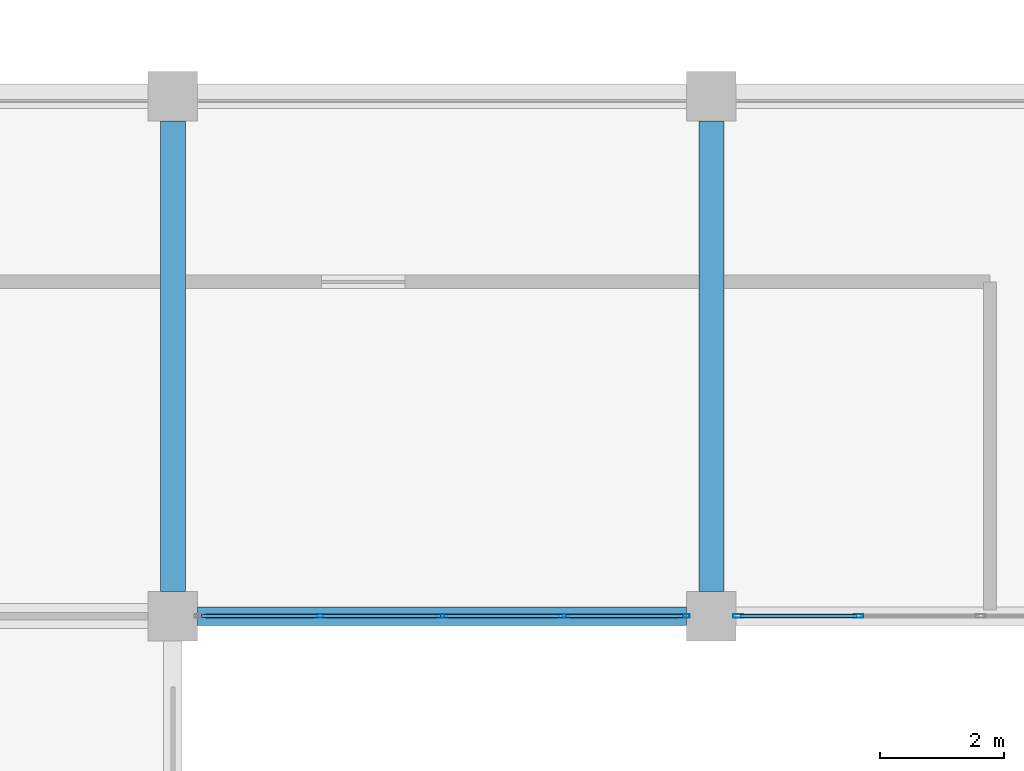
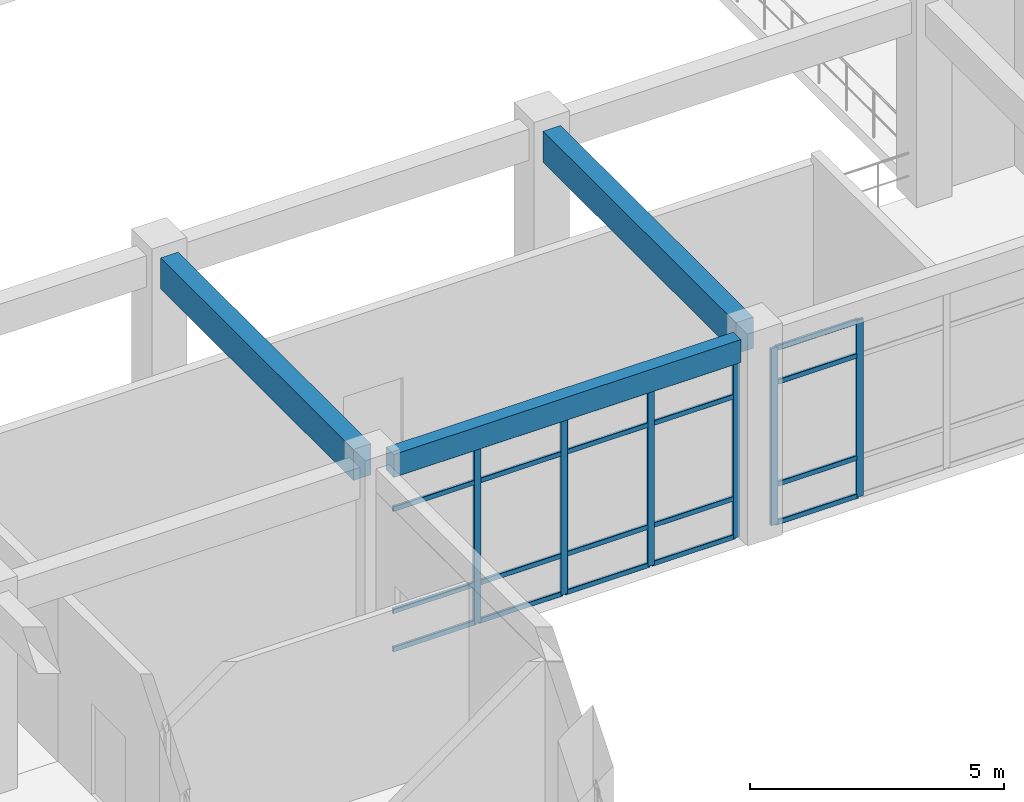
# One storey, part 35 of 124: 26 members, 3 beams, 2 elements without a shape of their own.
"""IFC4 building model written with IfcOpenShell, lengths in metres."""

import ifcopenshell
import ifcopenshell.guid

model = None  # the IFC model being written
_history = None  # IfcOwnerHistory: only IFC2X3 demands one
_inside = {}  # id of a spatial element -> (the spatial element, [elements in it])
_under = {}  # id of a project, library or spatial element -> (it, [spatial elements below it])
_declared = {}  # id of a project -> (the project, [libraries it declares])
_typed = {}  # id of a type object -> (the type object, [elements of that type])
_made_of = {}  # id of a material, layer set ... -> (it, [elements and type objects made of it])


def new_model(schema):
    """Start an empty IFC model of exactly this schema.

    Asked for "IFC4X3", IfcOpenShell would pick the latest addendum, in which some entities
    have other attributes; the version numbers below select the first issue.
    IFC2X3 requires an IfcOwnerHistory on every rooted entity: one is made here for all.
    """
    global model, _history
    if schema == "IFC4X3":
        model = ifcopenshell.file(schema_version=(4, 3, 0, 0))
    else:
        model = ifcopenshell.file(schema=schema)
    _inside.clear()
    _under.clear()
    _declared.clear()
    _typed.clear()
    _made_of.clear()
    _history = None
    if model.schema == "IFC2X3":
        org = make("IfcOrganization", Name="unknown")
        user = make(
            "IfcPersonAndOrganization",
            ThePerson=make("IfcPerson", FamilyName="unknown"),
            TheOrganization=org,
        )
        app = make(
            "IfcApplication",
            ApplicationDeveloper=org,
            Version="unknown",
            ApplicationFullName="unknown",
            ApplicationIdentifier="unknown",
        )
        _history = make(
            "IfcOwnerHistory",
            OwningUser=user,
            OwningApplication=app,
            ChangeAction="ADDED",
            CreationDate=0,
        )
    return model


def make(cls, **values):
    """One entity of the class cls with the attributes given. An attribute that is None is left unset."""
    return model.create_entity(
        cls, **{name: value for name, value in values.items() if value is not None}
    )


def rooted(cls, **values):
    """An entity with a GlobalId (a new one), such as an element, a storey or a relation."""
    return make(cls, GlobalId=ifcopenshell.guid.new(), OwnerHistory=_history, **values)


def si_unit(unit_type, name, prefix=None):
    """IfcSIUnit, for example si_unit("LENGTHUNIT", "METRE", prefix="MILLI")."""
    return make("IfcSIUnit", UnitType=unit_type, Prefix=prefix, Name=name)


def derived_unit(unit_type, elements):
    """IfcDerivedUnit: a product of units, each with its exponent."""
    return make(
        "IfcDerivedUnit",
        Elements=[
            make("IfcDerivedUnitElement", Unit=unit, Exponent=power)
            for unit, power in elements
        ],
        UnitType=unit_type,
    )


def assignment(units):
    """IfcUnitAssignment: the units of a project."""
    return None if units is None else make("IfcUnitAssignment", Units=units)


def point(xyz):
    """IfcCartesianPoint."""
    return None if xyz is None else make("IfcCartesianPoint", Coordinates=xyz)


def direction(xyz):
    """IfcDirection."""
    return None if xyz is None else make("IfcDirection", DirectionRatios=xyz)


def frame(location, z_axis=None, x_axis=None):
    """IfcAxis2Placement3D, a coordinate frame: its origin and axes. An axis left out is left unset."""
    return make(
        "IfcAxis2Placement3D",
        Location=point(location),
        Axis=direction(z_axis),
        RefDirection=direction(x_axis),
    )


def frame_2d(location, x_axis=None):
    """IfcAxis2Placement2D, a coordinate frame in the plane: its origin and x axis."""
    return make(
        "IfcAxis2Placement2D", Location=point(location), RefDirection=direction(x_axis)
    )


def origin():
    """The frame at (0, 0, 0) with its axes left unset."""
    return frame((0.0, 0.0, 0.0))


def origin_2d():
    """The frame at (0, 0) in the plane with its x axis left unset."""
    return frame_2d((0.0, 0.0))


def place(relative_to, where):
    """IfcLocalPlacement: puts the frame where relative to a parent placement (None: the world)."""
    return make(
        "IfcLocalPlacement", PlacementRelTo=relative_to, RelativePlacement=where
    )


def context(
    kind, dimensions, precision=None, world=None, true_north=None, identifier=None
):
    """IfcGeometricRepresentationContext, for example the 3D "Model" context."""
    return make(
        "IfcGeometricRepresentationContext",
        ContextIdentifier=identifier,
        ContextType=kind,
        CoordinateSpaceDimension=dimensions,
        Precision=precision,
        WorldCoordinateSystem=world,
        TrueNorth=true_north,
    )


def subcontext(parent, identifier, kind, view, scale=None):
    """IfcGeometricRepresentationSubContext, for example "Body" below "Model"."""
    return make(
        "IfcGeometricRepresentationSubContext",
        ContextIdentifier=identifier,
        ContextType=kind,
        ParentContext=parent,
        TargetScale=scale,
        TargetView=view,
    )


def project(units=None, contexts=None):
    """IfcProject with its units and contexts."""
    return rooted(
        "IfcProject",
        Name="project",
        RepresentationContexts=contexts,
        UnitsInContext=assignment(units),
    )


def spatial(cls, under=None, at=None, **own):
    """A site, building, storey or space (cls), placed at a placement, below another one or the project."""
    s = rooted(cls, ObjectPlacement=at, **own)
    if under is not None:
        _under.setdefault(under.id(), (under, []))[1].append(s)
    return s


def profile(cls, at=None, kind="AREA", **sizes):
    """A parametric profile (cls). Its sizes go by their IFC names, for example OverallWidth=200.0."""
    return make(cls, ProfileType=kind, Position=at, **sizes)


def rectangle(**sizes):
    """IfcRectangleProfileDef."""
    return profile("IfcRectangleProfileDef", **sizes)


def hollow_rectangle(**sizes):
    """IfcRectangleHollowProfileDef."""
    return profile("IfcRectangleHollowProfileDef", **sizes)


def extrude(swept, where, along, depth):
    """IfcExtrudedAreaSolid: the profile swept, set in the frame where, extruded along a direction by depth."""
    return make(
        "IfcExtrudedAreaSolid",
        SweptArea=swept,
        Position=where,
        ExtrudedDirection=direction(along),
        Depth=depth,
    )


def shape(context_of_items, identifier, shape_type, items):
    """IfcShapeRepresentation: the items that make up one representation, for example the "Body"."""
    return make(
        "IfcShapeRepresentation",
        ContextOfItems=context_of_items,
        RepresentationIdentifier=identifier,
        RepresentationType=shape_type,
        Items=items,
    )


def material(Name=None, Category=None):
    """IfcMaterial."""
    return make("IfcMaterial", Name=Name, Category=Category)


def layer(
    of_material, thickness, ventilated=None, Name=None, Category=None, Priority=None
):
    """IfcMaterialLayer: one layer of a wall or slab, of a material (None: an air gap)."""
    return make(
        "IfcMaterialLayer",
        Material=of_material,
        LayerThickness=thickness,
        IsVentilated=ventilated,
        Name=Name,
        Category=Category,
        Priority=Priority,
    )


def layer_set(layers, Name=None):
    """IfcMaterialLayerSet."""
    return make("IfcMaterialLayerSet", MaterialLayers=layers, LayerSetName=Name)


def material_profile(
    of_material, cross_section, Name=None, Category=None, Priority=None
):
    """IfcMaterialProfile: a cross section and its material."""
    return make(
        "IfcMaterialProfile",
        Name=Name,
        Material=of_material,
        Profile=cross_section,
        Priority=Priority,
        Category=Category,
    )


def profile_set(profiles, Name=None, composite=None):
    """IfcMaterialProfileSet."""
    return make(
        "IfcMaterialProfileSet",
        Name=Name,
        MaterialProfiles=profiles,
        CompositeProfile=composite,
    )


def made_of(thing, what):
    """Note that an element or type object is made of a material, layer set ...; save() writes the relation."""
    if what is not None:
        _made_of.setdefault(what.id(), (what, []))[1].append(thing)
    return thing


def type_object(cls, material=None, **own):
    """A type object (cls), such as IfcWallType, which elements share."""
    return made_of(rooted(cls, **own), material)


def element(
    cls,
    number,
    at=None,
    inside=None,
    cuts=None,
    type_object=None,
    material=None,
    context=None,
    identifier="Body",
    shape_type=None,
    held_by="IfcProductDefinitionShape",
    body=None,
    shapes=None,
    **own,
):
    """One element of the class cls, such as IfcWall. Its Tag is "e" and its number.

    at: its placement. inside: the storey or other place that contains it. cuts: it is an
    opening in that element (IfcRelVoidsElement). A single representation is given by context,
    identifier, shape_type and body (its items); several are given by shapes. held_by: the class
    of the entity that holds the representations. save() writes the other relations.
    """
    e = rooted(cls, Tag="e%d" % number, ObjectPlacement=at, **own)
    if body is not None:
        shapes = [shape(context, identifier, shape_type, body)]
    if shapes is not None:
        e.Representation = make(held_by, Representations=shapes)
    if inside is not None:
        _inside.setdefault(inside.id(), (inside, []))[1].append(e)
    if cuts is not None:
        rooted(
            "IfcRelVoidsElement", RelatingBuildingElement=cuts, RelatedOpeningElement=e
        )
    if type_object is not None:
        _typed.setdefault(type_object.id(), (type_object, []))[1].append(e)
    return made_of(e, material)


def aggregate(whole, parts):
    """IfcRelAggregates: a whole, such as a stair, and the parts it consists of."""
    return rooted("IfcRelAggregates", RelatingObject=whole, RelatedObjects=parts)


def save(model, path):
    """Write the relations noted so far, then the file.

    IfcRelAggregates (storeys below a building ...), IfcRelContainedInSpatialStructure (elements
    in a storey), IfcRelDefinesByType, IfcRelAssociatesMaterial and IfcRelDeclares: one each for
    every whole, place, type object, material and project.
    """
    for whole, parts in _under.values():
        aggregate(whole, parts)
    for where, things in _inside.values():
        rooted(
            "IfcRelContainedInSpatialStructure",
            RelatedElements=things,
            RelatingStructure=where,
        )
    for kind, things in _typed.values():
        rooted("IfcRelDefinesByType", RelatedObjects=things, RelatingType=kind)
    for what, things in _made_of.values():
        rooted("IfcRelAssociatesMaterial", RelatedObjects=things, RelatingMaterial=what)
    for by, libraries in _declared.values():
        rooted("IfcRelDeclares", RelatingContext=by, RelatedDefinitions=libraries)
    model.write(path)


model = new_model("IFC4")

# Units and contexts
model_context = context("Model", 3, precision=1e-05, world=origin(), true_north=direction((0.0, 1.0)))
body_context = subcontext(model_context, "Body", "Model", "MODEL_VIEW")
ifc_project = project(units=[si_unit("LENGTHUNIT", "METRE"), si_unit("AREAUNIT", "SQUARE_METRE"), si_unit("VOLUMEUNIT", "CUBIC_METRE"), si_unit("PLANEANGLEUNIT", "RADIAN"), si_unit("MASSUNIT", "GRAM", prefix="KILO"), derived_unit("THERMALTRANSMITTANCEUNIT", [(si_unit("MASSUNIT", "GRAM", prefix="KILO"), 1), (si_unit("TIMEUNIT", "SECOND"), -3), (si_unit("THERMODYNAMICTEMPERATUREUNIT", "KELVIN"), -1)])], contexts=[model_context])

# Site, building, storey
site_placement = place(None, origin())
site = spatial("IfcSite", under=ifc_project, at=site_placement, CompositionType="ELEMENT")
building_placement = place(site_placement, origin())
building = spatial("IfcBuilding", under=site, at=building_placement, Name="Qinzheling Arcade Emporium", CompositionType="ELEMENT")
storey_placement = place(building_placement, frame((0.0, 0.0, 16.5)))
storey = spatial("IfcBuildingStorey", under=building, at=storey_placement, Name="L04", CompositionType="ELEMENT", Elevation=16.5)

# Curtain wall, members
ifc_material_1 = material(Name="Anodised aluminium and solar-control double glazing", Category="aluminium")
ifc_layer = layer(ifc_material_1, 0.159912109375, Name="Anodised aluminium and solar-control double glazing", Category="aluminium")
ifc_layer_set = layer_set([ifc_layer], Name="Anodised aluminium and solar-control double glazing")
curtain_wall_type = type_object("IfcCurtainWallType", Name="Atrium Clerestory Curtain Wall", PredefinedType="NOTDEFINED", material=ifc_layer_set)
curtain_wall_1_placement = place(storey_placement, origin())
curtain_wall_1 = element("IfcCurtainWall", 1, at=curtain_wall_1_placement, inside=storey, type_object=curtain_wall_type, Name="Curtain Wall CW-L04-255", PredefinedType="NOTDEFINED")
ifc_material_2 = material(Name="Anodised aluminium 6063-T6", Category="aluminium")
ifc_material_profile_1 = material_profile(ifc_material_2, hollow_rectangle(XDim=0.06005859375, YDim=0.159912109375, WallThickness=0.00390625, InnerFilletRadius=0.00390625, OuterFilletRadius=0.008056640625, at=origin_2d()), Name="RHS 160x60x4", Category="aluminium")
ifc_profile_set_1 = profile_set([ifc_material_profile_1], Name="Anodised aluminium 6063-T6")
member_type_1 = type_object("IfcMemberType", Name="Curtain Wall Mullion RHS160x60", PredefinedType="MULLION", material=ifc_profile_set_1)
member_1_placement = place(storey_placement, frame((80.676025390625, 42.0, 0.0), z_axis=(0.0, 0.0, 1.0), x_axis=(0.0, -1.0, 0.0)))
member_1 = element("IfcMember", 2, at=member_1_placement, type_object=member_type_1, Name="CW03 mullion 4", PredefinedType="MULLION", context=body_context, shape_type="SweptSolid", body=[
    extrude(hollow_rectangle(XDim=0.06005859375, YDim=0.159912109375, WallThickness=0.00390625, InnerFilletRadius=0.00390625, OuterFilletRadius=0.008056640625, at=origin_2d()), origin(), (0.0, 0.0, 1.0), 4.2548828125),
])
member_2_placement = place(storey_placement, frame((78.73193359375, 42.0, 0.0), z_axis=(0.0, 0.0, 1.0), x_axis=(0.0, -1.0, 0.0)))
member_2 = element("IfcMember", 3, at=member_2_placement, type_object=member_type_1, Name="CW03 mullion 5", PredefinedType="MULLION", context=body_context, shape_type="SweptSolid", body=[
    extrude(hollow_rectangle(XDim=0.06005859375, YDim=0.159912109375, WallThickness=0.00390625, InnerFilletRadius=0.00390625, OuterFilletRadius=0.008056640625, at=origin_2d()), origin(), (0.0, 0.0, 1.0), 4.2548828125),
])

curtain_wall_2_placement = place(storey_placement, origin())
curtain_wall_2 = element("IfcCurtainWall", 4, at=curtain_wall_2_placement, inside=storey, type_object=curtain_wall_type, Name="Curtain Wall CW-L04-256", PredefinedType="NOTDEFINED")
member_3_placement = place(storey_placement, frame((77.867919921875, 42.0, 0.0), z_axis=(0.0, 0.0, 1.0), x_axis=(0.0, -1.0, 0.0)))
member_3 = element("IfcMember", 5, at=member_3_placement, type_object=member_type_1, Name="CW03 mullion 1", PredefinedType="MULLION", context=body_context, shape_type="SweptSolid", body=[
    extrude(hollow_rectangle(XDim=0.06005859375, YDim=0.159912109375, WallThickness=0.00390625, InnerFilletRadius=0.00390625, OuterFilletRadius=0.008056640625, at=origin_2d()), origin(), (0.0, 0.0, 1.0), 4.2548828125),
])
member_4_placement = place(storey_placement, frame((75.924072265625, 42.0, 0.0), z_axis=(0.0, 0.0, 1.0), x_axis=(0.0, -1.0, 0.0)))
member_4 = element("IfcMember", 6, at=member_4_placement, type_object=member_type_1, Name="CW03 mullion 2", PredefinedType="MULLION", context=body_context, shape_type="SweptSolid", body=[
    extrude(hollow_rectangle(XDim=0.06005859375, YDim=0.159912109375, WallThickness=0.00390625, InnerFilletRadius=0.00390625, OuterFilletRadius=0.008056640625, at=origin_2d()), origin(), (0.0, 0.0, 1.0), 4.2548828125),
])
member_5_placement = place(storey_placement, frame((73.949951171875, 42.0, 0.0), z_axis=(0.0, 0.0, 1.0), x_axis=(0.0, -1.0, 0.0)))
member_5 = element("IfcMember", 7, at=member_5_placement, type_object=member_type_1, Name="CW03 mullion 3", PredefinedType="MULLION", context=body_context, shape_type="SweptSolid", body=[
    extrude(hollow_rectangle(XDim=0.06005859375, YDim=0.159912109375, WallThickness=0.00390625, InnerFilletRadius=0.00390625, OuterFilletRadius=0.008056640625, at=origin_2d()), origin(), (0.0, 0.0, 1.0), 4.2548828125),
])
member_6_placement = place(storey_placement, frame((71.97607421875, 42.0, 0.0), z_axis=(0.0, 0.0, 1.0), x_axis=(0.0, -1.0, 0.0)))
member_6 = element("IfcMember", 8, at=member_6_placement, type_object=member_type_1, Name="CW03 mullion 4", PredefinedType="MULLION", context=body_context, shape_type="SweptSolid", body=[
    extrude(hollow_rectangle(XDim=0.06005859375, YDim=0.159912109375, WallThickness=0.00390625, InnerFilletRadius=0.00390625, OuterFilletRadius=0.008056640625, at=origin_2d()), origin(), (0.0, 0.0, 1.0), 4.2548828125),
])

# Member
ifc_material_profile_2 = material_profile(ifc_material_2, hollow_rectangle(XDim=0.06005859375, YDim=0.1201171875, WallThickness=0.00390625, InnerFilletRadius=0.00390625, OuterFilletRadius=0.008056640625, at=origin_2d()), Name="RHS 120x60x4", Category="aluminium")
ifc_profile_set_2 = profile_set([ifc_material_profile_2], Name="Anodised aluminium 6063-T6")
member_type_2 = type_object("IfcMemberType", Name="Curtain Wall Transom RHS120x60", PredefinedType="USERDEFINED", material=ifc_profile_set_2)
member_7_placement = place(storey_placement, frame((80.64599609375, 42.0, 0.030029296875), z_axis=(-1.0, 0.0, 0.0), x_axis=(0.0, -1.0, 0.0)))
member_7 = element("IfcMember", 9, at=member_7_placement, type_object=member_type_2, Name="CW03 transom 4.1", ObjectType="TRANSOM", PredefinedType="USERDEFINED", context=body_context, shape_type="SweptSolid", body=[
    extrude(hollow_rectangle(XDim=0.06005859375, YDim=0.1201171875, WallThickness=0.00390625, InnerFilletRadius=0.00390625, OuterFilletRadius=0.008056640625, at=origin_2d()), origin(), (0.0, 0.0, 1.0), 1.884033203125),
])

member_8_placement = place(storey_placement, frame((80.64599609375, 42.0, 0.949951171875), z_axis=(-1.0, 0.0, 0.0), x_axis=(0.0, -1.0, 0.0)))
member_8 = element("IfcMember", 10, at=member_8_placement, type_object=member_type_2, Name="CW03 transom 4.2", ObjectType="TRANSOM", PredefinedType="USERDEFINED", context=body_context, shape_type="SweptSolid", body=[
    extrude(hollow_rectangle(XDim=0.06005859375, YDim=0.1201171875, WallThickness=0.00390625, InnerFilletRadius=0.00390625, OuterFilletRadius=0.008056640625, at=origin_2d()), origin(), (0.0, 0.0, 1.0), 1.884033203125),
])

member_9_placement = place(storey_placement, frame((80.64599609375, 42.0, 3.405029296875), z_axis=(-1.0, 0.0, 0.0), x_axis=(0.0, -1.0, 0.0)))
member_9 = element("IfcMember", 11, at=member_9_placement, type_object=member_type_2, Name="CW03 transom 4.3", ObjectType="TRANSOM", PredefinedType="USERDEFINED", context=body_context, shape_type="SweptSolid", body=[
    extrude(hollow_rectangle(XDim=0.06005859375, YDim=0.1201171875, WallThickness=0.00390625, InnerFilletRadius=0.00390625, OuterFilletRadius=0.008056640625, at=origin_2d()), origin(), (0.0, 0.0, 1.0), 1.884033203125),
])

member_10_placement = place(storey_placement, frame((80.64599609375, 42.0, 4.22509765625), z_axis=(-1.0, 0.0, 0.0), x_axis=(0.0, -1.0, 0.0)))
member_10 = element("IfcMember", 12, at=member_10_placement, type_object=member_type_2, Name="CW03 transom 4.4", ObjectType="TRANSOM", PredefinedType="USERDEFINED", context=body_context, shape_type="SweptSolid", body=[
    extrude(hollow_rectangle(XDim=0.06005859375, YDim=0.1201171875, WallThickness=0.00390625, InnerFilletRadius=0.00390625, OuterFilletRadius=0.008056640625, at=origin_2d()), origin(), (0.0, 0.0, 1.0), 1.884033203125),
])

aggregate(curtain_wall_1, [member_1, member_2, member_7, member_8, member_9, member_10])

member_11_placement = place(storey_placement, frame((77.837890625, 42.0, 0.030029296875), z_axis=(-1.0, 0.0, 0.0), x_axis=(0.0, -1.0, 0.0)))
member_11 = element("IfcMember", 13, at=member_11_placement, type_object=member_type_2, Name="CW03 transom 1.1", ObjectType="TRANSOM", PredefinedType="USERDEFINED", context=body_context, shape_type="SweptSolid", body=[
    extrude(hollow_rectangle(XDim=0.06005859375, YDim=0.1201171875, WallThickness=0.00390625, InnerFilletRadius=0.00390625, OuterFilletRadius=0.008056640625, at=origin_2d()), origin(), (0.0, 0.0, 1.0), 1.8837890625),
])

member_12_placement = place(storey_placement, frame((77.837890625, 42.0, 0.949951171875), z_axis=(-1.0, 0.0, 0.0), x_axis=(0.0, -1.0, 0.0)))
member_12 = element("IfcMember", 14, at=member_12_placement, type_object=member_type_2, Name="CW03 transom 1.2", ObjectType="TRANSOM", PredefinedType="USERDEFINED", context=body_context, shape_type="SweptSolid", body=[
    extrude(hollow_rectangle(XDim=0.06005859375, YDim=0.1201171875, WallThickness=0.00390625, InnerFilletRadius=0.00390625, OuterFilletRadius=0.008056640625, at=origin_2d()), origin(), (0.0, 0.0, 1.0), 1.8837890625),
])

member_13_placement = place(storey_placement, frame((77.837890625, 42.0, 3.405029296875), z_axis=(-1.0, 0.0, 0.0), x_axis=(0.0, -1.0, 0.0)))
member_13 = element("IfcMember", 15, at=member_13_placement, type_object=member_type_2, Name="CW03 transom 1.3", ObjectType="TRANSOM", PredefinedType="USERDEFINED", context=body_context, shape_type="SweptSolid", body=[
    extrude(hollow_rectangle(XDim=0.06005859375, YDim=0.1201171875, WallThickness=0.00390625, InnerFilletRadius=0.00390625, OuterFilletRadius=0.008056640625, at=origin_2d()), origin(), (0.0, 0.0, 1.0), 1.8837890625),
])

member_14_placement = place(storey_placement, frame((77.837890625, 42.0, 4.22509765625), z_axis=(-1.0, 0.0, 0.0), x_axis=(0.0, -1.0, 0.0)))
member_14 = element("IfcMember", 16, at=member_14_placement, type_object=member_type_2, Name="CW03 transom 1.4", ObjectType="TRANSOM", PredefinedType="USERDEFINED", context=body_context, shape_type="SweptSolid", body=[
    extrude(hollow_rectangle(XDim=0.06005859375, YDim=0.1201171875, WallThickness=0.00390625, InnerFilletRadius=0.00390625, OuterFilletRadius=0.008056640625, at=origin_2d()), origin(), (0.0, 0.0, 1.0), 1.8837890625),
])

member_15_placement = place(storey_placement, frame((75.89404296875, 42.0, 0.030029296875), z_axis=(-1.0, 0.0, 0.0), x_axis=(0.0, -1.0, 0.0)))
member_15 = element("IfcMember", 17, at=member_15_placement, type_object=member_type_2, Name="CW03 transom 2.1", ObjectType="TRANSOM", PredefinedType="USERDEFINED", context=body_context, shape_type="SweptSolid", body=[
    extrude(hollow_rectangle(XDim=0.06005859375, YDim=0.1201171875, WallThickness=0.00390625, InnerFilletRadius=0.00390625, OuterFilletRadius=0.008056640625, at=origin_2d()), origin(), (0.0, 0.0, 1.0), 1.9140625),
])

member_16_placement = place(storey_placement, frame((75.89404296875, 42.0, 0.949951171875), z_axis=(-1.0, 0.0, 0.0), x_axis=(0.0, -1.0, 0.0)))
member_16 = element("IfcMember", 18, at=member_16_placement, type_object=member_type_2, Name="CW03 transom 2.2", ObjectType="TRANSOM", PredefinedType="USERDEFINED", context=body_context, shape_type="SweptSolid", body=[
    extrude(hollow_rectangle(XDim=0.06005859375, YDim=0.1201171875, WallThickness=0.00390625, InnerFilletRadius=0.00390625, OuterFilletRadius=0.008056640625, at=origin_2d()), origin(), (0.0, 0.0, 1.0), 1.9140625),
])

member_17_placement = place(storey_placement, frame((75.89404296875, 42.0, 3.405029296875), z_axis=(-1.0, 0.0, 0.0), x_axis=(0.0, -1.0, 0.0)))
member_17 = element("IfcMember", 19, at=member_17_placement, type_object=member_type_2, Name="CW03 transom 2.3", ObjectType="TRANSOM", PredefinedType="USERDEFINED", context=body_context, shape_type="SweptSolid", body=[
    extrude(hollow_rectangle(XDim=0.06005859375, YDim=0.1201171875, WallThickness=0.00390625, InnerFilletRadius=0.00390625, OuterFilletRadius=0.008056640625, at=origin_2d()), origin(), (0.0, 0.0, 1.0), 1.9140625),
])

member_18_placement = place(storey_placement, frame((75.89404296875, 42.0, 4.22509765625), z_axis=(-1.0, 0.0, 0.0), x_axis=(0.0, -1.0, 0.0)))
member_18 = element("IfcMember", 20, at=member_18_placement, type_object=member_type_2, Name="CW03 transom 2.4", ObjectType="TRANSOM", PredefinedType="USERDEFINED", context=body_context, shape_type="SweptSolid", body=[
    extrude(hollow_rectangle(XDim=0.06005859375, YDim=0.1201171875, WallThickness=0.00390625, InnerFilletRadius=0.00390625, OuterFilletRadius=0.008056640625, at=origin_2d()), origin(), (0.0, 0.0, 1.0), 1.9140625),
])

member_19_placement = place(storey_placement, frame((73.919921875, 42.0, 0.030029296875), z_axis=(-1.0, 0.0, 0.0), x_axis=(0.0, -1.0, 0.0)))
member_19 = element("IfcMember", 21, at=member_19_placement, type_object=member_type_2, Name="CW03 transom 3.1", ObjectType="TRANSOM", PredefinedType="USERDEFINED", context=body_context, shape_type="SweptSolid", body=[
    extrude(hollow_rectangle(XDim=0.06005859375, YDim=0.1201171875, WallThickness=0.00390625, InnerFilletRadius=0.00390625, OuterFilletRadius=0.008056640625, at=origin_2d()), origin(), (0.0, 0.0, 1.0), 1.913818359375),
])

member_20_placement = place(storey_placement, frame((73.919921875, 42.0, 0.949951171875), z_axis=(-1.0, 0.0, 0.0), x_axis=(0.0, -1.0, 0.0)))
member_20 = element("IfcMember", 22, at=member_20_placement, type_object=member_type_2, Name="CW03 transom 3.2", ObjectType="TRANSOM", PredefinedType="USERDEFINED", context=body_context, shape_type="SweptSolid", body=[
    extrude(hollow_rectangle(XDim=0.06005859375, YDim=0.1201171875, WallThickness=0.00390625, InnerFilletRadius=0.00390625, OuterFilletRadius=0.008056640625, at=origin_2d()), origin(), (0.0, 0.0, 1.0), 1.913818359375),
])

member_21_placement = place(storey_placement, frame((73.919921875, 42.0, 3.405029296875), z_axis=(-1.0, 0.0, 0.0), x_axis=(0.0, -1.0, 0.0)))
member_21 = element("IfcMember", 23, at=member_21_placement, type_object=member_type_2, Name="CW03 transom 3.3", ObjectType="TRANSOM", PredefinedType="USERDEFINED", context=body_context, shape_type="SweptSolid", body=[
    extrude(hollow_rectangle(XDim=0.06005859375, YDim=0.1201171875, WallThickness=0.00390625, InnerFilletRadius=0.00390625, OuterFilletRadius=0.008056640625, at=origin_2d()), origin(), (0.0, 0.0, 1.0), 1.913818359375),
])

member_22_placement = place(storey_placement, frame((73.919921875, 42.0, 4.22509765625), z_axis=(-1.0, 0.0, 0.0), x_axis=(0.0, -1.0, 0.0)))
member_22 = element("IfcMember", 24, at=member_22_placement, type_object=member_type_2, Name="CW03 transom 3.4", ObjectType="TRANSOM", PredefinedType="USERDEFINED", context=body_context, shape_type="SweptSolid", body=[
    extrude(hollow_rectangle(XDim=0.06005859375, YDim=0.1201171875, WallThickness=0.00390625, InnerFilletRadius=0.00390625, OuterFilletRadius=0.008056640625, at=origin_2d()), origin(), (0.0, 0.0, 1.0), 1.913818359375),
])

member_23_placement = place(storey_placement, frame((71.946044921875, 42.0, 0.030029296875), z_axis=(-1.0, 0.0, 0.0), x_axis=(0.0, -1.0, 0.0)))
member_23 = element("IfcMember", 25, at=member_23_placement, type_object=member_type_2, Name="CW03 transom 4.1", ObjectType="TRANSOM", PredefinedType="USERDEFINED", context=body_context, shape_type="SweptSolid", body=[
    extrude(hollow_rectangle(XDim=0.06005859375, YDim=0.1201171875, WallThickness=0.00390625, InnerFilletRadius=0.00390625, OuterFilletRadius=0.008056640625, at=origin_2d()), origin(), (0.0, 0.0, 1.0), 1.884033203125),
])

member_24_placement = place(storey_placement, frame((71.946044921875, 42.0, 0.949951171875), z_axis=(-1.0, 0.0, 0.0), x_axis=(0.0, -1.0, 0.0)))
member_24 = element("IfcMember", 26, at=member_24_placement, type_object=member_type_2, Name="CW03 transom 4.2", ObjectType="TRANSOM", PredefinedType="USERDEFINED", context=body_context, shape_type="SweptSolid", body=[
    extrude(hollow_rectangle(XDim=0.06005859375, YDim=0.1201171875, WallThickness=0.00390625, InnerFilletRadius=0.00390625, OuterFilletRadius=0.008056640625, at=origin_2d()), origin(), (0.0, 0.0, 1.0), 1.884033203125),
])

member_25_placement = place(storey_placement, frame((71.946044921875, 42.0, 3.405029296875), z_axis=(-1.0, 0.0, 0.0), x_axis=(0.0, -1.0, 0.0)))
member_25 = element("IfcMember", 27, at=member_25_placement, type_object=member_type_2, Name="CW03 transom 4.3", ObjectType="TRANSOM", PredefinedType="USERDEFINED", context=body_context, shape_type="SweptSolid", body=[
    extrude(hollow_rectangle(XDim=0.06005859375, YDim=0.1201171875, WallThickness=0.00390625, InnerFilletRadius=0.00390625, OuterFilletRadius=0.008056640625, at=origin_2d()), origin(), (0.0, 0.0, 1.0), 1.884033203125),
])

member_26_placement = place(storey_placement, frame((71.946044921875, 42.0, 4.22509765625), z_axis=(-1.0, 0.0, 0.0), x_axis=(0.0, -1.0, 0.0)))
member_26 = element("IfcMember", 28, at=member_26_placement, type_object=member_type_2, Name="CW03 transom 4.4", ObjectType="TRANSOM", PredefinedType="USERDEFINED", context=body_context, shape_type="SweptSolid", body=[
    extrude(hollow_rectangle(XDim=0.06005859375, YDim=0.1201171875, WallThickness=0.00390625, InnerFilletRadius=0.00390625, OuterFilletRadius=0.008056640625, at=origin_2d()), origin(), (0.0, 0.0, 1.0), 1.884033203125),
])

aggregate(curtain_wall_2, [member_3, member_4, member_5, member_6, member_11, member_12, member_13, member_14, member_15, member_16, member_17, member_18, member_19, member_20, member_21, member_22, member_23, member_24, member_25, member_26])

# Beams
ifc_material_3 = material(Name="Concrete C40", Category="concrete")
ifc_material_profile_3 = material_profile(ifc_material_3, rectangle(XDim=0.39990234375, YDim=0.75, at=origin_2d()), Name="RC 400x750", Category="concrete")
ifc_profile_set_3 = profile_set([ifc_material_profile_3], Name="Concrete C40")
beam_type_1 = type_object("IfcBeamType", Name="RC Interior Tie Beam 400x750 C40", PredefinedType="BEAM", material=ifc_profile_set_3)
for number, where, z_axis, x_axis, name in (
    (29, (69.60009765625, 42.39990234375, 4.445068359375), (0.0, 1.0, 0.0), (-1.0, 0.0, 0.0), "Beam BM-L04-Y-9-F"),
    (30, (78.300048828125, 42.39990234375, 4.445068359375), (0.0, 1.0, 0.0), (-1.0, 0.0, 0.0), "Beam BM-L04-Y-10-F"),
):
    element("IfcBeam", number, at=place(storey_placement, frame(where, z_axis=z_axis, x_axis=x_axis)), inside=storey, type_object=beam_type_1, Name=name, PredefinedType="BEAM", context=body_context, shape_type="SweptSolid", body=[
        extrude(rectangle(XDim=0.39990234375, YDim=0.75, at=origin_2d()), origin(), (0.0, 0.0, 1.0), 7.60009765625),
    ])
ifc_material_profile_4 = material_profile(ifc_material_3, rectangle(XDim=0.300048828125, YDim=0.550048828125, at=origin_2d()), Name="RC 300x550", Category="concrete")
ifc_profile_set_4 = profile_set([ifc_material_profile_4], Name="Concrete C40")
beam_type_2 = type_object("IfcBeamType", Name="RC Terrace Spandrel Beam 300x550 C40", PredefinedType="SPANDREL", material=ifc_profile_set_4)
beam_placement = place(storey_placement, frame((70.0, 42.0, 4.544921875), z_axis=(1.0, 0.0, 0.0), x_axis=(0.0, 1.0, 0.0)))
element("IfcBeam", 31, at=beam_placement, inside=storey, type_object=beam_type_2, Name="Beam BM-L04-X-F-9", PredefinedType="SPANDREL", context=body_context, shape_type="SweptSolid", body=[
    extrude(rectangle(XDim=0.300048828125, YDim=0.550048828125, at=origin_2d()), origin(), (0.0, 0.0, 1.0), 7.89990234375),
])

save(model, "model.ifc")
